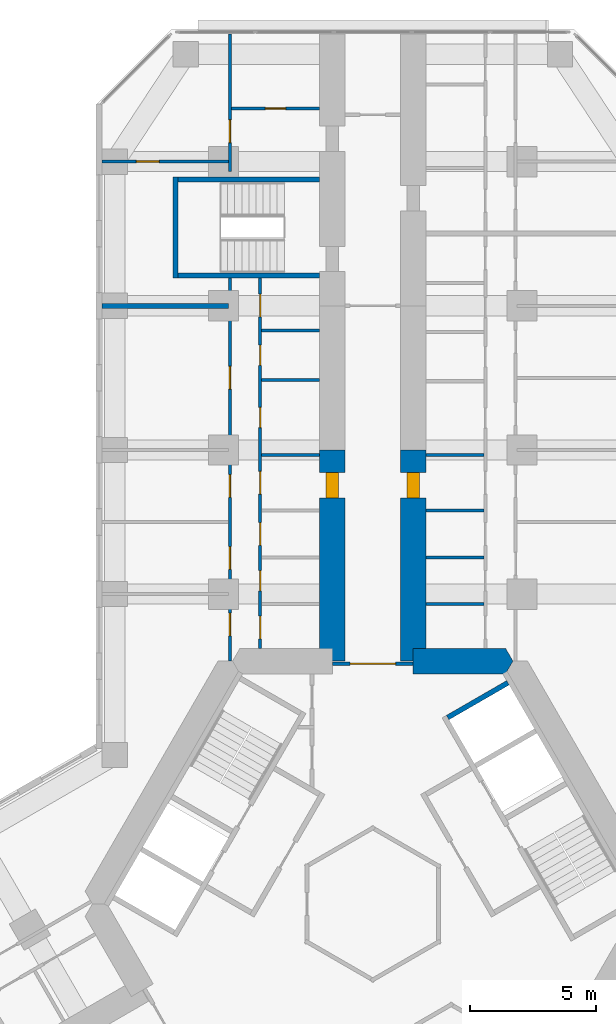
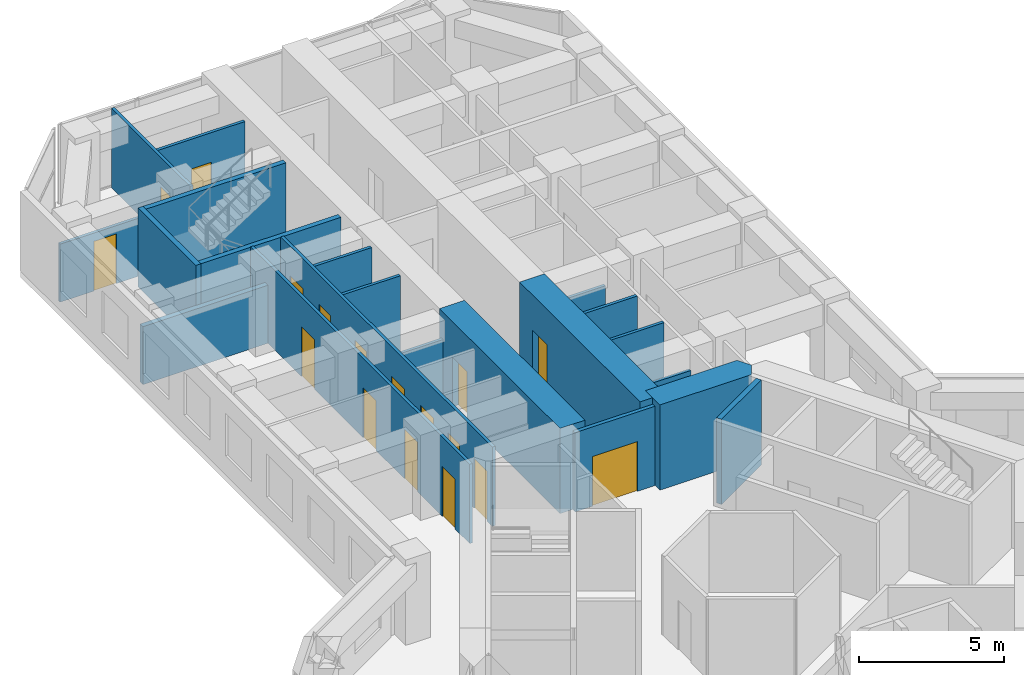
# One storey, part 17 of 21: 21 walls, 17 doors, 17 openings.
"""IFC4 building model written with IfcOpenShell, lengths in metres."""

from ifc_helpers import new_model, si_unit, direction, frame, frame_2d, origin, place, context, subcontext, project, spatial, polyline, rectangle, outline, extrude, material, layer, layer_set, type_object, element, fill, save


model = new_model("IFC4")

# Units and contexts
model_context = context("Model", 3, precision=1e-05, world=origin(), true_north=direction((0.0, 1.0)))
body_context = subcontext(model_context, "Body", "Model", "MODEL_VIEW")
ifc_project = project(units=[si_unit("LENGTHUNIT", "METRE"), si_unit("AREAUNIT", "SQUARE_METRE"), si_unit("VOLUMEUNIT", "CUBIC_METRE"), si_unit("PLANEANGLEUNIT", "RADIAN"), si_unit("MASSUNIT", "GRAM", prefix="KILO")], contexts=[model_context])

# Site, building, storey
site_placement = place(None, origin())
site = spatial("IfcSite", under=ifc_project, at=site_placement, CompositionType="ELEMENT")
building_placement = place(site_placement, origin())
building = spatial("IfcBuilding", under=site, at=building_placement, Name="Kosmar Iwan School Tower", CompositionType="ELEMENT")
storey_placement = place(building_placement, frame((0.0, 0.0, 50.199951171875)))
storey = spatial("IfcBuildingStorey", under=building, at=storey_placement, Name="L11", CompositionType="ELEMENT", Elevation=50.199951171875)

# Wall
ifc_material_1 = material(Name="Concrete C50/60", Category="concrete")
ifc_layer_1 = layer(ifc_material_1, 1.0)
ifc_layer_set_1 = layer_set([ifc_layer_1], Name="Core wall 1000")
wall_type_1 = type_object("IfcWallType", Name="Core wall 1000", PredefinedType="SHEAR", material=ifc_layer_set_1)
wall_1_placement = place(storey_placement, origin())
element("IfcWall", 1, at=wall_1_placement, inside=storey, type_object=wall_type_1, Name="Core wall F090a", PredefinedType="SHEAR", context=body_context, shape_type="SweptSolid", body=[
    extrude(outline(polyline([(1.60009765625, 9.10009765625), (5.25390625, 9.10009765625), (5.54248046875, 9.60009765625), (5.25390625, 10.10009765625), (1.60009765625, 10.10009765625), (1.60009765625, 9.10009765625)])), origin(), (0.0, 0.0, 1.0), 3.60009765625),
])

# Wall, opening, door
ifc_material_2 = material(Name="Concrete C50/60", Category="concrete")
ifc_layer_2 = layer(ifc_material_2, 1.0)
ifc_layer_set_2 = layer_set([ifc_layer_2], Name="Corridor buttress wall 1000")
wall_type_2 = type_object("IfcWallType", Name="Corridor buttress wall 1000", PredefinedType="SHEAR", material=ifc_layer_set_2)
wall_2_placement = place(storey_placement, frame((-1.60009765625, 9.60009765625, 0.0), z_axis=(0.0, 0.0, 1.0), x_axis=(0.0, 1.0, 0.0)))
wall_2 = element("IfcWall", 2, at=wall_2_placement, inside=storey, type_object=wall_type_2, Name="Corridor wall AL", PredefinedType="SHEAR", context=body_context, shape_type="SweptSolid", body=[
    extrude(rectangle(XDim=8.349853515625, YDim=1.0, at=frame_2d((4.1748046875, 0.0))), origin(), (0.0, 0.0, 1.0), 3.60009765625),
])
opening_1_placement = place(wall_2_placement, frame((6.449951171875, 0.0, 0.0)))
opening_1 = element("IfcOpeningElement", 3, at=opening_1_placement, cuts=wall_2, Name="Opening D1", PredefinedType="OPENING", context=body_context, shape_type="SweptSolid", body=[
    extrude(rectangle(XDim=1.0, YDim=2.10009765625, at=frame_2d((0.5, 1.050048828125))), frame((0.0, 0.511962890625, 0.0), z_axis=(0.0, -1.0, 0.0), x_axis=(1.0, 0.0, 0.0)), (0.0, 0.0, 1.0), 1.02392578125),
])
ifc_material_3 = material(Name="Timber fire door in steel frame", Category="steel")
door_type_1 = type_object("IfcDoorType", Name="Flat entrance door 1000x2100", OperationType="SINGLE_SWING_LEFT", PredefinedType="DOOR", material=ifc_material_3)
door_1_placement = place(opening_1_placement, origin())
door_1 = element("IfcDoor", 4, at=door_1_placement, inside=storey, type_object=door_type_1, Name="Flat L11-AL1 entrance door", OperationType="SINGLE_SWING_LEFT", OverallHeight=2.10009765625, OverallWidth=1.0, PredefinedType="DOOR", context=body_context, shape_type="SweptSolid", body=[
    extrude(rectangle(XDim=1.0, YDim=2.10009765625, at=frame_2d((0.5, 1.050048828125))), frame((0.0, 0.25, 0.0), z_axis=(0.0, -1.0, 0.0), x_axis=(1.0, 0.0, 0.0)), (0.0, 0.0, 1.0), 0.5),
])
fill(opening_1, door_1)

wall_3_placement = place(storey_placement, frame((1.60009765625, 9.60009765625, 0.0), z_axis=(0.0, 0.0, 1.0), x_axis=(0.0, 1.0, 0.0)))
wall_3 = element("IfcWall", 5, at=wall_3_placement, inside=storey, type_object=wall_type_2, Name="Corridor wall AR", PredefinedType="SHEAR", context=body_context, shape_type="SweptSolid", body=[
    extrude(rectangle(XDim=8.349853515625, YDim=1.0, at=frame_2d((4.1748046875, 0.0))), origin(), (0.0, 0.0, 1.0), 3.60009765625),
])
opening_2_placement = place(wall_3_placement, frame((6.449951171875, 0.0, 0.0)))
opening_2 = element("IfcOpeningElement", 6, at=opening_2_placement, cuts=wall_3, Name="Opening D1", PredefinedType="OPENING", context=body_context, shape_type="SweptSolid", body=[
    extrude(rectangle(XDim=1.0, YDim=2.10009765625, at=frame_2d((0.5, 1.050048828125))), frame((0.0, 0.511962890625, 0.0), z_axis=(0.0, -1.0, 0.0), x_axis=(1.0, 0.0, 0.0)), (0.0, 0.0, 1.0), 1.02392578125),
])
door_2_placement = place(opening_2_placement, origin())
door_2 = element("IfcDoor", 7, at=door_2_placement, inside=storey, type_object=door_type_1, Name="Flat L11-AR1 entrance door", OperationType="SINGLE_SWING_RIGHT", OverallHeight=2.10009765625, OverallWidth=1.0, PredefinedType="DOOR", context=body_context, shape_type="SweptSolid", body=[
    extrude(rectangle(XDim=1.0, YDim=2.10009765625, at=frame_2d((0.5, 1.050048828125))), frame((0.0, 0.25, 0.0), z_axis=(0.0, -1.0, 0.0), x_axis=(1.0, 0.0, 0.0)), (0.0, 0.0, 1.0), 0.5),
])
fill(opening_2, door_2)

ifc_material_4 = material(Name="Steel framed glazed screen", Category="steel")
ifc_layer_3 = layer(ifc_material_4, 0.14990234375)
ifc_layer_set_3 = layer_set([ifc_layer_3], Name="Corridor screen wall 150")
wall_type_3 = type_object("IfcWallType", Name="Corridor screen wall 150", PredefinedType="PARTITIONING", material=ifc_layer_set_3)
wall_4_placement = place(storey_placement, frame((1.60009765625, 9.5, 0.0), z_axis=(0.0, 0.0, 1.0), x_axis=(-1.0, 0.0, 0.0)))
wall_4 = element("IfcWall", 8, at=wall_4_placement, inside=storey, type_object=wall_type_3, Name="Corridor screen A L11", PredefinedType="PARTITIONING", context=body_context, shape_type="SweptSolid", body=[
    extrude(rectangle(XDim=3.2001953125, YDim=0.14990234375, at=frame_2d((1.60009765625, 0.0))), origin(), (0.0, 0.0, 1.0), 3.35009765625),
])
opening_3_placement = place(wall_4_placement, frame((0.699951171875, 0.0, 0.0)))
opening_3 = element("IfcOpeningElement", 9, at=opening_3_placement, cuts=wall_4, Name="Opening D9", PredefinedType="OPENING", context=body_context, shape_type="SweptSolid", body=[
    extrude(rectangle(XDim=1.800048828125, YDim=2.10009765625, at=frame_2d((0.89990234375, 1.050048828125))), frame((0.0, 0.0869140625, 0.0), z_axis=(0.0, -1.0, 0.0), x_axis=(1.0, 0.0, 0.0)), (0.0, 0.0, 1.0), 0.173828125),
])
ifc_material_5 = material(Name="Steel framed glazed smoke door", Category="steel")
door_type_2 = type_object("IfcDoorType", Name="Corridor smoke door pair 1800x2100", OperationType="DOUBLE_DOOR_DOUBLE_SWING", PredefinedType="DOOR", material=ifc_material_5)
door_3_placement = place(opening_3_placement, origin())
door_3 = element("IfcDoor", 10, at=door_3_placement, inside=storey, type_object=door_type_2, Name="Corridor doors A L11", OperationType="DOUBLE_DOOR_DOUBLE_SWING", OverallHeight=2.10009765625, OverallWidth=1.800048828125, PredefinedType="DOOR", context=body_context, shape_type="SweptSolid", body=[
    extrude(rectangle(XDim=1.800048828125, YDim=2.10009765625, at=frame_2d((0.89990234375, 1.050048828125))), frame((0.0, 0.02490234375, 0.0), z_axis=(0.0, -1.0, 0.0), x_axis=(1.0, 0.0, 0.0)), (0.0, 0.0, 1.0), 0.050048828125),
])
fill(opening_3, door_3)

# Wall, openings, doors
ifc_material_6 = material(Name="Gypsum board on steel studs", Category="steel")
ifc_layer_4 = layer(ifc_material_6, 0.1201171875)
ifc_layer_set_4 = layer_set([ifc_layer_4], Name="Dwelling partition 120")
wall_type_4 = type_object("IfcWallType", Name="Dwelling partition 120", PredefinedType="PARTITIONING", material=ifc_layer_set_4)
wall_5_placement = place(storey_placement, frame((-4.449951171875, 10.10009765625, 0.0), z_axis=(0.0, 0.0, 1.0), x_axis=(0.0, 1.0, 0.0)))
wall_5 = element("IfcWall", 11, at=wall_5_placement, inside=storey, type_object=wall_type_4, Name="Partition L11-AL1-W1", PredefinedType="PARTITIONING", context=body_context, shape_type="SweptSolid", body=[
    extrude(rectangle(XDim=14.64990234375, YDim=0.1201171875, at=frame_2d((7.324951171875, 0.0))), origin(), (0.0, 0.0, 1.0), 3.35009765625),
])
opening_4_placement = place(wall_5_placement, frame((0.375, 0.0, 0.0)))
opening_4 = element("IfcOpeningElement", 12, at=opening_4_placement, cuts=wall_5, Name="Opening D2", PredefinedType="OPENING", context=body_context, shape_type="SweptSolid", body=[
    extrude(rectangle(XDim=0.89990234375, YDim=2.10009765625, at=frame_2d((0.449951171875, 1.050048828125))), frame((0.0, 0.072021484375, 0.0), z_axis=(0.0, -1.0, 0.0), x_axis=(1.0, 0.0, 0.0)), (0.0, 0.0, 1.0), 0.14404296875),
])
opening_5_placement = place(wall_5_placement, frame((2.27490234375, 0.0, 0.0)))
opening_5 = element("IfcOpeningElement", 13, at=opening_5_placement, cuts=wall_5, Name="Opening D3", PredefinedType="OPENING", context=body_context, shape_type="SweptSolid", body=[
    extrude(rectangle(XDim=0.800048828125, YDim=2.10009765625, at=frame_2d((0.39990234375, 1.050048828125))), frame((0.0, 0.072021484375, 0.0), z_axis=(0.0, -1.0, 0.0), x_axis=(1.0, 0.0, 0.0)), (0.0, 0.0, 1.0), 0.14404296875),
])
opening_6_placement = place(wall_5_placement, frame((4.074951171875, 0.0, 0.0)))
opening_6 = element("IfcOpeningElement", 14, at=opening_6_placement, cuts=wall_5, Name="Opening D2", PredefinedType="OPENING", context=body_context, shape_type="SweptSolid", body=[
    extrude(rectangle(XDim=0.89990234375, YDim=2.10009765625, at=frame_2d((0.449951171875, 1.050048828125))), frame((0.0, 0.072021484375, 0.0), z_axis=(0.0, -1.0, 0.0), x_axis=(1.0, 0.0, 0.0)), (0.0, 0.0, 1.0), 0.14404296875),
])
opening_7_placement = place(wall_5_placement, frame((6.10009765625, 0.0, 0.0)))
opening_7 = element("IfcOpeningElement", 15, at=opening_7_placement, cuts=wall_5, Name="Opening D2", PredefinedType="OPENING", context=body_context, shape_type="SweptSolid", body=[
    extrude(rectangle(XDim=0.89990234375, YDim=2.10009765625, at=frame_2d((0.449951171875, 1.050048828125))), frame((0.0, 0.072021484375, 0.0), z_axis=(0.0, -1.0, 0.0), x_axis=(1.0, 0.0, 0.0)), (0.0, 0.0, 1.0), 0.14404296875),
])
opening_8_placement = place(wall_5_placement, frame((8.728515625, 0.0, 0.0)))
opening_8 = element("IfcOpeningElement", 16, at=opening_8_placement, cuts=wall_5, Name="Opening D3", PredefinedType="OPENING", context=body_context, shape_type="SweptSolid", body=[
    extrude(rectangle(XDim=0.800048828125, YDim=2.10009765625, at=frame_2d((0.39990234375, 1.050048828125))), frame((0.0, 0.072021484375, 0.0), z_axis=(0.0, -1.0, 0.0), x_axis=(1.0, 0.0, 0.0)), (0.0, 0.0, 1.0), 0.14404296875),
])
opening_9_placement = place(wall_5_placement, frame((11.19287109375, 0.0, 0.0)))
opening_9 = element("IfcOpeningElement", 17, at=opening_9_placement, cuts=wall_5, Name="Opening D3", PredefinedType="OPENING", context=body_context, shape_type="SweptSolid", body=[
    extrude(rectangle(XDim=0.800048828125, YDim=2.10009765625, at=frame_2d((0.39990234375, 1.050048828125))), frame((0.0, 0.072021484375, 0.0), z_axis=(0.0, -1.0, 0.0), x_axis=(1.0, 0.0, 0.0)), (0.0, 0.0, 1.0), 0.14404296875),
])
opening_10_placement = place(wall_5_placement, frame((13.1142578125, 0.0, 0.0)))
opening_10 = element("IfcOpeningElement", 18, at=opening_10_placement, cuts=wall_5, Name="Opening D2", PredefinedType="OPENING", context=body_context, shape_type="SweptSolid", body=[
    extrude(rectangle(XDim=0.89990234375, YDim=2.10009765625, at=frame_2d((0.449951171875, 1.050048828125))), frame((0.0, 0.072021484375, 0.0), z_axis=(0.0, -1.0, 0.0), x_axis=(1.0, 0.0, 0.0)), (0.0, 0.0, 1.0), 0.14404296875),
])
ifc_material_7 = material(Name="Timber door in timber frame", Category="wood")
door_type_3 = type_object("IfcDoorType", Name="Internal door 900x2100", OperationType="SINGLE_SWING_LEFT", PredefinedType="DOOR", material=ifc_material_7)
door_4_placement = place(opening_4_placement, origin())
door_4 = element("IfcDoor", 19, at=door_4_placement, inside=storey, type_object=door_type_3, Name="Dressing room door L11-AL1-S1", OperationType="SINGLE_SWING_LEFT", OverallHeight=2.10009765625, OverallWidth=0.89990234375, PredefinedType="DOOR", context=body_context, shape_type="SweptSolid", body=[
    extrude(rectangle(XDim=0.89990234375, YDim=2.10009765625, at=frame_2d((0.449951171875, 1.050048828125))), frame((0.0, 0.02490234375, 0.0), z_axis=(0.0, -1.0, 0.0), x_axis=(1.0, 0.0, 0.0)), (0.0, 0.0, 1.0), 0.050048828125),
])
fill(opening_4, door_4)
door_5_placement = place(opening_6_placement, origin())
door_5 = element("IfcDoor", 20, at=door_5_placement, inside=storey, type_object=door_type_3, Name="Pantry door L11-AL1-S3", OperationType="SINGLE_SWING_LEFT", OverallHeight=2.10009765625, OverallWidth=0.89990234375, PredefinedType="DOOR", context=body_context, shape_type="SweptSolid", body=[
    extrude(rectangle(XDim=0.89990234375, YDim=2.10009765625, at=frame_2d((0.449951171875, 1.050048828125))), frame((0.0, 0.02490234375, 0.0), z_axis=(0.0, -1.0, 0.0), x_axis=(1.0, 0.0, 0.0)), (0.0, 0.0, 1.0), 0.050048828125),
])
fill(opening_6, door_5)
door_6_placement = place(opening_7_placement, origin())
door_6 = element("IfcDoor", 21, at=door_6_placement, inside=storey, type_object=door_type_3, Name="Entrance hall door L11-AL1-S4", OperationType="SINGLE_SWING_LEFT", OverallHeight=2.10009765625, OverallWidth=0.89990234375, PredefinedType="DOOR", context=body_context, shape_type="SweptSolid", body=[
    extrude(rectangle(XDim=0.89990234375, YDim=2.10009765625, at=frame_2d((0.449951171875, 1.050048828125))), frame((0.0, 0.02490234375, 0.0), z_axis=(0.0, -1.0, 0.0), x_axis=(1.0, 0.0, 0.0)), (0.0, 0.0, 1.0), 0.050048828125),
])
fill(opening_7, door_6)
door_7_placement = place(opening_10_placement, frame((0.89990234375, 0.0, 0.0), z_axis=(0.0, 0.0, 1.0), x_axis=(-1.0, 0.0, 0.0)))
door_7 = element("IfcDoor", 22, at=door_7_placement, inside=storey, type_object=door_type_3, Name="Utility room door L11-AL1-S7", OperationType="SINGLE_SWING_LEFT", OverallHeight=2.10009765625, OverallWidth=0.89990234375, PredefinedType="DOOR", context=body_context, shape_type="SweptSolid", body=[
    extrude(rectangle(XDim=0.89990234375, YDim=2.10009765625, at=frame_2d((0.449951171875, 1.050048828125))), frame((0.0, 0.02490234375, 0.0), z_axis=(0.0, -1.0, 0.0), x_axis=(1.0, 0.0, 0.0)), (0.0, 0.0, 1.0), 0.050048828125),
])
fill(opening_10, door_7)
ifc_material_8 = material(Name="Timber door in timber frame", Category="wood")
door_type_4 = type_object("IfcDoorType", Name="Sanitary room door 800x2100", OperationType="SINGLE_SWING_LEFT", PredefinedType="DOOR", material=ifc_material_8)
door_8_placement = place(opening_5_placement, origin())
door_8 = element("IfcDoor", 23, at=door_8_placement, inside=storey, type_object=door_type_4, Name="Store door L11-AL1-S2", OperationType="SINGLE_SWING_LEFT", OverallHeight=2.10009765625, OverallWidth=0.800048828125, PredefinedType="DOOR", context=body_context, shape_type="SweptSolid", body=[
    extrude(rectangle(XDim=0.800048828125, YDim=2.10009765625, at=frame_2d((0.39990234375, 1.050048828125))), frame((0.0, 0.02490234375, 0.0), z_axis=(0.0, -1.0, 0.0), x_axis=(1.0, 0.0, 0.0)), (0.0, 0.0, 1.0), 0.050048828125),
])
fill(opening_5, door_8)
door_9_placement = place(opening_8_placement, origin())
door_9 = element("IfcDoor", 24, at=door_9_placement, inside=storey, type_object=door_type_4, Name="Bathroom door L11-AL1-S5", OperationType="SINGLE_SWING_RIGHT", OverallHeight=2.10009765625, OverallWidth=0.800048828125, PredefinedType="DOOR", context=body_context, shape_type="SweptSolid", body=[
    extrude(rectangle(XDim=0.800048828125, YDim=2.10009765625, at=frame_2d((0.39990234375, 1.050048828125))), frame((0.0, 0.02490234375, 0.0), z_axis=(0.0, -1.0, 0.0), x_axis=(1.0, 0.0, 0.0)), (0.0, 0.0, 1.0), 0.050048828125),
])
fill(opening_8, door_9)
door_10_placement = place(opening_9_placement, origin())
door_10 = element("IfcDoor", 25, at=door_10_placement, inside=storey, type_object=door_type_4, Name="WC door L11-AL1-S6", OperationType="SINGLE_SWING_RIGHT", OverallHeight=2.10009765625, OverallWidth=0.800048828125, PredefinedType="DOOR", context=body_context, shape_type="SweptSolid", body=[
    extrude(rectangle(XDim=0.800048828125, YDim=2.10009765625, at=frame_2d((0.39990234375, 1.050048828125))), frame((0.0, 0.02490234375, 0.0), z_axis=(0.0, -1.0, 0.0), x_axis=(1.0, 0.0, 0.0)), (0.0, 0.0, 1.0), 0.050048828125),
])
fill(opening_9, door_10)

wall_6_placement = place(storey_placement, frame((-5.64990234375, 9.60009765625, 0.0), z_axis=(0.0, 0.0, 1.0), x_axis=(0.0, 1.0, 0.0)))
wall_6 = element("IfcWall", 26, at=wall_6_placement, inside=storey, type_object=wall_type_4, Name="Partition L11-AL1-W2", PredefinedType="PARTITIONING", context=body_context, shape_type="SweptSolid", body=[
    extrude(rectangle(XDim=15.14990234375, YDim=0.1201171875, at=frame_2d((7.574951171875, 0.0))), origin(), (0.0, 0.0, 1.0), 3.35009765625),
])
opening_11_placement = place(wall_6_placement, frame((1.0, 0.0, 0.0)))
opening_11 = element("IfcOpeningElement", 27, at=opening_11_placement, cuts=wall_6, Name="Opening D2", PredefinedType="OPENING", context=body_context, shape_type="SweptSolid", body=[
    extrude(rectangle(XDim=0.89990234375, YDim=2.10009765625, at=frame_2d((0.449951171875, 1.050048828125))), frame((0.0, 0.072021484375, 0.0), z_axis=(0.0, -1.0, 0.0), x_axis=(1.0, 0.0, 0.0)), (0.0, 0.0, 1.0), 0.14404296875),
])
opening_12_placement = place(wall_6_placement, frame((3.625, 0.0, 0.0)))
opening_12 = element("IfcOpeningElement", 28, at=opening_12_placement, cuts=wall_6, Name="Opening D2", PredefinedType="OPENING", context=body_context, shape_type="SweptSolid", body=[
    extrude(rectangle(XDim=0.89990234375, YDim=2.10009765625, at=frame_2d((0.449951171875, 1.050048828125))), frame((0.0, 0.072021484375, 0.0), z_axis=(0.0, -1.0, 0.0), x_axis=(1.0, 0.0, 0.0)), (0.0, 0.0, 1.0), 0.14404296875),
])
opening_13_placement = place(wall_6_placement, frame((6.47509765625, 0.0, 0.0)))
opening_13 = element("IfcOpeningElement", 29, at=opening_13_placement, cuts=wall_6, Name="Opening D2", PredefinedType="OPENING", context=body_context, shape_type="SweptSolid", body=[
    extrude(rectangle(XDim=0.89990234375, YDim=2.10009765625, at=frame_2d((0.449951171875, 1.050048828125))), frame((0.0, 0.072021484375, 0.0), z_axis=(0.0, -1.0, 0.0), x_axis=(1.0, 0.0, 0.0)), (0.0, 0.0, 1.0), 0.14404296875),
])
opening_14_placement = place(wall_6_placement, frame((10.75, 0.0, 0.0)))
opening_14 = element("IfcOpeningElement", 30, at=opening_14_placement, cuts=wall_6, Name="Opening D2", PredefinedType="OPENING", context=body_context, shape_type="SweptSolid", body=[
    extrude(rectangle(XDim=0.89990234375, YDim=2.10009765625, at=frame_2d((0.449951171875, 1.050048828125))), frame((0.0, 0.072021484375, 0.0), z_axis=(0.0, -1.0, 0.0), x_axis=(1.0, 0.0, 0.0)), (0.0, 0.0, 1.0), 0.14404296875),
])
door_11_placement = place(opening_11_placement, origin())
door_11 = element("IfcDoor", 31, at=door_11_placement, inside=storey, type_object=door_type_3, Name="Family room door L11-AL1-F1", OperationType="SINGLE_SWING_LEFT", OverallHeight=2.10009765625, OverallWidth=0.89990234375, PredefinedType="DOOR", context=body_context, shape_type="SweptSolid", body=[
    extrude(rectangle(XDim=0.89990234375, YDim=2.10009765625, at=frame_2d((0.449951171875, 1.050048828125))), frame((0.0, 0.02490234375, 0.0), z_axis=(0.0, -1.0, 0.0), x_axis=(1.0, 0.0, 0.0)), (0.0, 0.0, 1.0), 0.050048828125),
])
fill(opening_11, door_11)
door_12_placement = place(opening_12_placement, origin())
door_12 = element("IfcDoor", 32, at=door_12_placement, inside=storey, type_object=door_type_3, Name="Study door L11-AL1-F2", OperationType="SINGLE_SWING_RIGHT", OverallHeight=2.10009765625, OverallWidth=0.89990234375, PredefinedType="DOOR", context=body_context, shape_type="SweptSolid", body=[
    extrude(rectangle(XDim=0.89990234375, YDim=2.10009765625, at=frame_2d((0.449951171875, 1.050048828125))), frame((0.0, 0.02490234375, 0.0), z_axis=(0.0, -1.0, 0.0), x_axis=(1.0, 0.0, 0.0)), (0.0, 0.0, 1.0), 0.050048828125),
])
fill(opening_12, door_12)
door_13_placement = place(opening_13_placement, origin())
door_13 = element("IfcDoor", 33, at=door_13_placement, inside=storey, type_object=door_type_3, Name="Bedroom 1 door L11-AL1-F3", OperationType="SINGLE_SWING_LEFT", OverallHeight=2.10009765625, OverallWidth=0.89990234375, PredefinedType="DOOR", context=body_context, shape_type="SweptSolid", body=[
    extrude(rectangle(XDim=0.89990234375, YDim=2.10009765625, at=frame_2d((0.449951171875, 1.050048828125))), frame((0.0, 0.02490234375, 0.0), z_axis=(0.0, -1.0, 0.0), x_axis=(1.0, 0.0, 0.0)), (0.0, 0.0, 1.0), 0.050048828125),
])
fill(opening_13, door_13)
door_14_placement = place(opening_14_placement, origin())
door_14 = element("IfcDoor", 34, at=door_14_placement, inside=storey, type_object=door_type_3, Name="Living room and kitchen door L11-AL1-F4", OperationType="SINGLE_SWING_RIGHT", OverallHeight=2.10009765625, OverallWidth=0.89990234375, PredefinedType="DOOR", context=body_context, shape_type="SweptSolid", body=[
    extrude(rectangle(XDim=0.89990234375, YDim=2.10009765625, at=frame_2d((0.449951171875, 1.050048828125))), frame((0.0, 0.02490234375, 0.0), z_axis=(0.0, -1.0, 0.0), x_axis=(1.0, 0.0, 0.0)), (0.0, 0.0, 1.0), 0.050048828125),
])
fill(opening_14, door_14)

# Walls
wall_7_placement = place(storey_placement, frame((-2.10009765625, 17.75, 0.0), z_axis=(0.0, 0.0, 1.0), x_axis=(-1.0, 0.0, 0.0)))
element("IfcWall", 35, at=wall_7_placement, inside=storey, type_object=wall_type_4, Name="Partition L11-AL1-Y4", PredefinedType="PARTITIONING", context=body_context, shape_type="SweptSolid", body=[
    extrude(rectangle(XDim=2.289794921875, YDim=0.1201171875, at=frame_2d((1.14501953125, 0.0))), origin(), (0.0, 0.0, 1.0), 2.449951171875),
])
for number, where, z_axis, x_axis, name in (
    (36, (-2.10009765625, 20.70703125, 0.0), (0.0, 0.0, 1.0), (-1.0, 0.0, 0.0), "Partition L11-AL1-Y5"),
    (37, (-2.10009765625, 22.678466796875, 0.0), (0.0, 0.0, 1.0), (-1.0, 0.0, 0.0), "Partition L11-AL1-Y6"),
):
    element("IfcWall", number, at=place(storey_placement, frame(where, z_axis=z_axis, x_axis=x_axis)), inside=storey, type_object=wall_type_4, Name=name, PredefinedType="PARTITIONING", context=body_context, shape_type="SweptSolid", body=[
        extrude(rectangle(XDim=2.289794921875, YDim=0.1201171875, at=frame_2d((1.14501953125, 0.0))), origin(), (0.0, 0.0, 1.0), 3.35009765625),
    ])

# Wall, opening, door
wall_8_placement = place(storey_placement, frame((-5.7099609375, 29.35009765625, 0.0), z_axis=(0.0, 0.0, 1.0), x_axis=(-1.0, 0.0, 0.0)))
wall_8 = element("IfcWall", 38, at=wall_8_placement, inside=storey, type_object=wall_type_4, Name="Partition L11-AL2-TX", PredefinedType="PARTITIONING", context=body_context, shape_type="SweptSolid", body=[
    extrude(rectangle(XDim=4.989990234375, YDim=0.1201171875, at=frame_2d((2.4951171875, 0.0))), origin(), (0.0, 0.0, 1.0), 2.449951171875),
])
opening_15_placement = place(wall_8_placement, frame((2.739990234375, 0.0, 0.0)))
opening_15 = element("IfcOpeningElement", 39, at=opening_15_placement, cuts=wall_8, Name="Opening D2", PredefinedType="OPENING", context=body_context, shape_type="SweptSolid", body=[
    extrude(rectangle(XDim=0.89990234375, YDim=2.10009765625, at=frame_2d((0.449951171875, 1.050048828125))), frame((0.0, 0.072021484375, 0.0), z_axis=(0.0, -1.0, 0.0), x_axis=(1.0, 0.0, 0.0)), (0.0, 0.0, 1.0), 0.14404296875),
])
door_15_placement = place(opening_15_placement, origin())
door_15 = element("IfcDoor", 40, at=door_15_placement, inside=storey, type_object=door_type_3, Name="Bedroom 1 door L11-AL2-T1", OperationType="SINGLE_SWING_RIGHT", OverallHeight=2.10009765625, OverallWidth=0.89990234375, PredefinedType="DOOR", context=body_context, shape_type="SweptSolid", body=[
    extrude(rectangle(XDim=0.89990234375, YDim=2.10009765625, at=frame_2d((0.449951171875, 1.050048828125))), frame((0.0, 0.02490234375, 0.0), z_axis=(0.0, -1.0, 0.0), x_axis=(1.0, 0.0, 0.0)), (0.0, 0.0, 1.0), 0.050048828125),
])
fill(opening_15, door_15)

wall_9_placement = place(storey_placement, frame((-5.64990234375, 28.949951171875, 0.0), z_axis=(0.0, 0.0, 1.0), x_axis=(0.0, 1.0, 0.0)))
wall_9 = element("IfcWall", 41, at=wall_9_placement, inside=storey, type_object=wall_type_4, Name="Partition L11-AL2-TW", PredefinedType="PARTITIONING", context=body_context, shape_type="SweptSolid", body=[
    extrude(rectangle(XDim=5.445068359375, YDim=0.1201171875, at=frame_2d((2.72265625, 0.0))), origin(), (0.0, 0.0, 1.0), 3.35009765625),
])
opening_16_placement = place(wall_9_placement, frame((1.14990234375, 0.0, 0.0)))
opening_16 = element("IfcOpeningElement", 42, at=opening_16_placement, cuts=wall_9, Name="Opening D2", PredefinedType="OPENING", context=body_context, shape_type="SweptSolid", body=[
    extrude(rectangle(XDim=0.89990234375, YDim=2.10009765625, at=frame_2d((0.449951171875, 1.050048828125))), frame((0.0, 0.072021484375, 0.0), z_axis=(0.0, -1.0, 0.0), x_axis=(1.0, 0.0, 0.0)), (0.0, 0.0, 1.0), 0.14404296875),
])
door_16_placement = place(opening_16_placement, origin())
door_16 = element("IfcDoor", 43, at=door_16_placement, inside=storey, type_object=door_type_3, Name="Entrance hall door L11-AL2-T3", OperationType="SINGLE_SWING_LEFT", OverallHeight=2.10009765625, OverallWidth=0.89990234375, PredefinedType="DOOR", context=body_context, shape_type="SweptSolid", body=[
    extrude(rectangle(XDim=0.89990234375, YDim=2.10009765625, at=frame_2d((0.449951171875, 1.050048828125))), frame((0.0, 0.02490234375, 0.0), z_axis=(0.0, -1.0, 0.0), x_axis=(1.0, 0.0, 0.0)), (0.0, 0.0, 1.0), 0.050048828125),
])
fill(opening_16, door_16)

wall_10_placement = place(storey_placement, frame((-2.10009765625, 31.449951171875, 0.0), z_axis=(0.0, 0.0, 1.0), x_axis=(-1.0, 0.0, 0.0)))
wall_10 = element("IfcWall", 44, at=wall_10_placement, inside=storey, type_object=wall_type_4, Name="Partition L11-AL2-TY", PredefinedType="PARTITIONING", context=body_context, shape_type="SweptSolid", body=[
    extrude(rectangle(XDim=3.489990234375, YDim=0.1201171875, at=frame_2d((1.7451171875, 0.0))), origin(), (0.0, 0.0, 1.0), 3.35009765625),
])
opening_17_placement = place(wall_10_placement, frame((1.344970703125, 0.0, 0.0)))
opening_17 = element("IfcOpeningElement", 45, at=opening_17_placement, cuts=wall_10, Name="Opening D3", PredefinedType="OPENING", context=body_context, shape_type="SweptSolid", body=[
    extrude(rectangle(XDim=0.800048828125, YDim=2.10009765625, at=frame_2d((0.39990234375, 1.050048828125))), frame((0.0, 0.072021484375, 0.0), z_axis=(0.0, -1.0, 0.0), x_axis=(1.0, 0.0, 0.0)), (0.0, 0.0, 1.0), 0.14404296875),
])
door_17_placement = place(opening_17_placement, origin())
door_17 = element("IfcDoor", 46, at=door_17_placement, inside=storey, type_object=door_type_4, Name="Bathroom door L11-AL2-T4", OperationType="SINGLE_SWING_RIGHT", OverallHeight=2.10009765625, OverallWidth=0.800048828125, PredefinedType="DOOR", context=body_context, shape_type="SweptSolid", body=[
    extrude(rectangle(XDim=0.800048828125, YDim=2.10009765625, at=frame_2d((0.39990234375, 1.050048828125))), frame((0.0, 0.02490234375, 0.0), z_axis=(0.0, -1.0, 0.0), x_axis=(1.0, 0.0, 0.0)), (0.0, 0.0, 1.0), 0.050048828125),
])
fill(opening_17, door_17)

# Walls
wall_11_placement = place(storey_placement, frame((2.10009765625, 11.85009765625, 0.0), z_axis=(0.0, 0.0, 1.0), x_axis=(1.0, 0.0, 0.0)))
element("IfcWall", 47, at=wall_11_placement, inside=storey, type_object=wall_type_4, Name="Partition L11-AR1-Y1", PredefinedType="PARTITIONING", context=body_context, shape_type="SweptSolid", body=[
    extrude(rectangle(XDim=2.289794921875, YDim=0.1201171875, at=frame_2d((1.14501953125, 0.0))), origin(), (0.0, 0.0, 1.0), 2.449951171875),
])
for number, where, z_axis, x_axis, name in (
    (48, (2.10009765625, 13.699951171875, 0.0), (0.0, 0.0, 1.0), (1.0, 0.0, 0.0), "Partition L11-AR1-Y2"),
    (49, (2.10009765625, 15.550048828125, 0.0), (0.0, 0.0, 1.0), (1.0, 0.0, 0.0), "Partition L11-AR1-Y3"),
):
    element("IfcWall", number, at=place(storey_placement, frame(where, z_axis=z_axis, x_axis=x_axis)), inside=storey, type_object=wall_type_4, Name=name, PredefinedType="PARTITIONING", context=body_context, shape_type="SweptSolid", body=[
        extrude(rectangle(XDim=2.289794921875, YDim=0.1201171875, at=frame_2d((1.14501953125, 0.0))), origin(), (0.0, 0.0, 1.0), 3.35009765625),
    ])
wall_12_placement = place(storey_placement, frame((2.10009765625, 17.75, 0.0), z_axis=(0.0, 0.0, 1.0), x_axis=(1.0, 0.0, 0.0)))
element("IfcWall", 50, at=wall_12_placement, inside=storey, type_object=wall_type_4, Name="Partition L11-AR1-Y4", PredefinedType="PARTITIONING", context=body_context, shape_type="SweptSolid", body=[
    extrude(rectangle(XDim=2.289794921875, YDim=0.1201171875, at=frame_2d((1.14501953125, 0.0))), origin(), (0.0, 0.0, 1.0), 2.449951171875),
])
ifc_material_9 = material(Name="Concrete C35/45", Category="concrete")
ifc_layer_5 = layer(ifc_material_9, 0.199951171875)
ifc_layer_set_5 = layer_set([ifc_layer_5], Name="Escape stair wall 200")
wall_type_5 = type_object("IfcWallType", Name="Escape stair wall 200", PredefinedType="SHEAR", material=ifc_layer_set_5)
for number, where, z_axis, x_axis, name in (
    (51, (-2.10009765625, 24.85009765625, 0.0), (0.0, 0.0, 1.0), (-1.0, 0.0, 0.0), "Stair WS1 wall"),
    (52, (-2.10009765625, 28.64990234375, 0.0), (0.0, 0.0, 1.0), (-1.0, 0.0, 0.0), "Stair WS1 wall"),
):
    element("IfcWall", number, at=place(storey_placement, frame(where, z_axis=z_axis, x_axis=x_axis)), inside=storey, type_object=wall_type_5, Name=name, PredefinedType="SHEAR", context=body_context, shape_type="SweptSolid", body=[
        extrude(rectangle(XDim=5.7998046875, YDim=0.199951171875, at=frame_2d((2.89990234375, 0.0))), origin(), (0.0, 0.0, 1.0), 3.330078125),
    ])
wall_13_placement = place(storey_placement, frame((-7.800048828125, 24.75, 0.0), z_axis=(0.0, 0.0, 1.0), x_axis=(0.0, 1.0, 0.0)))
element("IfcWall", 53, at=wall_13_placement, inside=storey, type_object=wall_type_5, Name="Stair WS1 wall", PredefinedType="SHEAR", context=body_context, shape_type="SweptSolid", body=[
    extrude(rectangle(XDim=4.0, YDim=0.199951171875, at=frame_2d((2.0, 0.0))), origin(), (0.0, 0.0, 1.0), 3.330078125),
])
ifc_material_10 = material(Name="Concrete C50/60", Category="concrete")
ifc_layer_6 = layer(ifc_material_10, 0.199951171875)
ifc_layer_set_6 = layer_set([ifc_layer_6], Name="Lift shaft wall 200")
wall_type_6 = type_object("IfcWallType", Name="Lift shaft wall 200", PredefinedType="SHEAR", material=ifc_layer_set_6)
wall_14_placement = place(storey_placement, frame((2.962646484375, 7.368408203125, 0.0), z_axis=(0.0, 0.0, 1.0), x_axis=(0.866027397988, 0.499996545922, 0.0)))
element("IfcWall", 54, at=wall_14_placement, inside=storey, type_object=wall_type_6, Name="Lift shaft wall AC 2", PredefinedType="SHEAR", context=body_context, shape_type="SweptSolid", body=[
    extrude(rectangle(XDim=2.75, YDim=0.199951171875, at=frame_2d((1.375, 0.0))), origin(), (0.0, 0.0, 1.0), 3.60009765625),
])
ifc_material_11 = material(Name="Concrete block masonry", Category="masonry")
ifc_layer_7 = layer(ifc_material_11, 0.199951171875)
ifc_layer_set_7 = layer_set([ifc_layer_7], Name="Party wall 200")
wall_type_7 = type_object("IfcWallType", Name="Party wall 200", PredefinedType="PARTITIONING", material=ifc_layer_set_7)
wall_15_placement = place(storey_placement, frame((-5.7099609375, 23.64990234375, 0.0), z_axis=(0.0, 0.0, 1.0), x_axis=(-1.0, 0.0, 0.0)))
element("IfcWall", 55, at=wall_15_placement, inside=storey, type_object=wall_type_7, Name="Partition L11-AL2-TB", PredefinedType="PARTITIONING", context=body_context, shape_type="SweptSolid", body=[
    extrude(rectangle(XDim=4.989990234375, YDim=0.199951171875, at=frame_2d((2.4951171875, 0.0))), origin(), (0.0, 0.0, 1.0), 2.449951171875),
])

save(model, "model.ifc")
